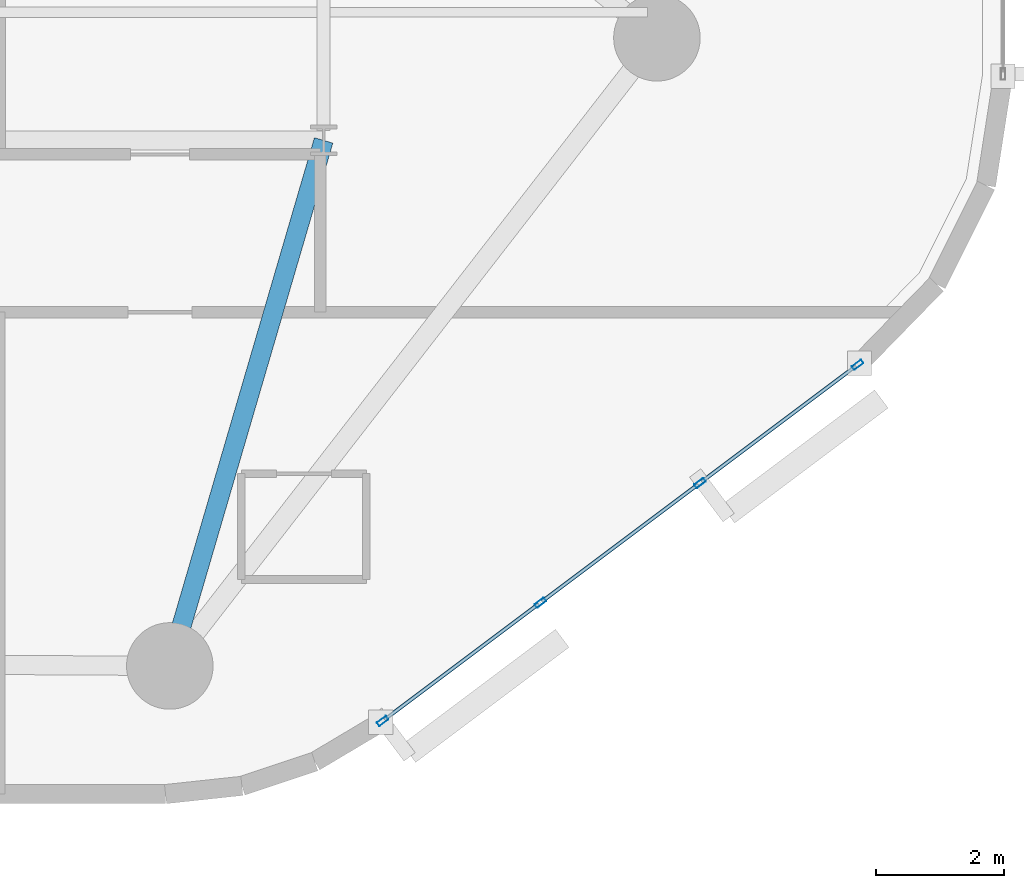
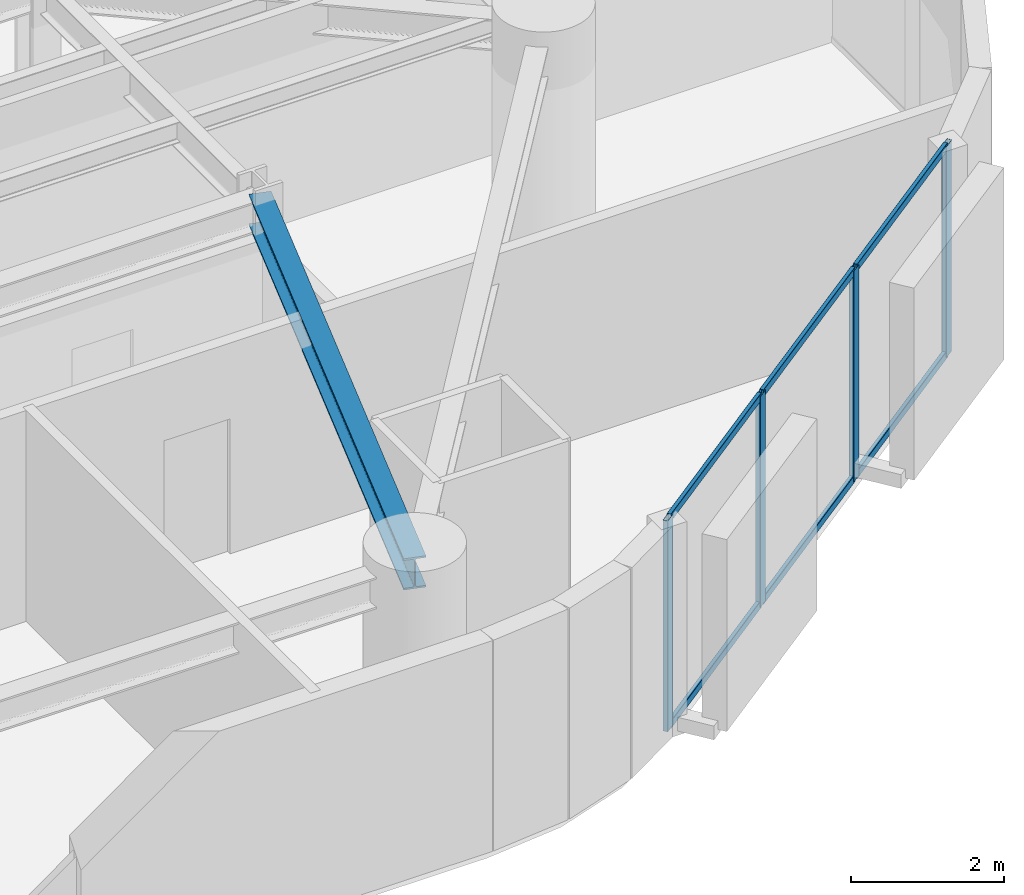
# One storey, part 2 of 15: 10 members, 1 beam, 1 element without a shape of its own.
"""IFC4 building model written with IfcOpenShell, lengths in metres."""

from ifc_helpers import new_model, si_unit, direction, frame, origin, origin_2d, place, context, subcontext, project, spatial, hollow_rectangle, i_section, extrude, material, layer, layer_set, material_profile, profile_set, type_object, element, aggregate, save


model = new_model("IFC4")

# Units and contexts
model_context = context("Model", 3, precision=1e-05, world=origin(), true_north=direction((0.0, 1.0)))
body_context = subcontext(model_context, "Body", "Model", "MODEL_VIEW")
ifc_project = project(units=[si_unit("LENGTHUNIT", "METRE"), si_unit("AREAUNIT", "SQUARE_METRE"), si_unit("VOLUMEUNIT", "CUBIC_METRE"), si_unit("PLANEANGLEUNIT", "RADIAN"), si_unit("MASSUNIT", "GRAM", prefix="KILO")], contexts=[model_context])

# Site, building, storey
site_placement = place(None, origin())
site = spatial("IfcSite", under=ifc_project, at=site_placement, CompositionType="ELEMENT")
building_placement = place(site_placement, origin())
building = spatial("IfcBuilding", under=site, at=building_placement, Name="An Khanh Terracotta Commons", CompositionType="ELEMENT")
storey_placement = place(building_placement, frame((0.0, 0.0, 129.5)))
storey = spatial("IfcBuildingStorey", under=building, at=storey_placement, Name="L34", CompositionType="ELEMENT", Elevation=129.5)

# Beam
ifc_material_1 = material(Name="Steel S355J2", Category="steel")
ifc_material_profile_1 = material_profile(ifc_material_1, i_section(OverallWidth=0.300048828125, OverallDepth=0.5, WebThickness=0.014404296875, FlangeThickness=0.028076171875, FilletRadius=0.027099609375, at=origin_2d()), Name="HEB500")
ifc_profile_set_1 = profile_set([ifc_material_profile_1], Name="Steel S355J2")
beam_type = type_object("IfcBeamType", Name="BM-HEB500", PredefinedType="BEAM", material=ifc_profile_set_1)
beam_placement = place(storey_placement, frame((44.39990234375, 6.199951171875, 3.110107421875), z_axis=(0.280916085823, 0.959732333896, 0.0), x_axis=(-0.959732333896, 0.280916085823, 0.0)))
element("IfcBeam", 1, at=beam_placement, inside=storey, type_object=beam_type, Name="L34 Mega-Column Tie Girder 2", PredefinedType="BEAM", context=body_context, shape_type="SweptSolid", body=[
    extrude(i_section(OverallWidth=0.300048828125, OverallDepth=0.5, WebThickness=0.014404296875, FlangeThickness=0.028076171875, FilletRadius=0.027099609375, at=origin_2d()), origin(), (0.0, 0.0, 1.0), 8.5439453125),
])

# Curtain wall, members
ifc_material_2 = material(Name="Anodised Aluminium 6063-T6", Category="aluminium")
ifc_layer = layer(ifc_material_2, 0.199951171875, Name="Anodised Aluminium 6063-T6")
ifc_layer_set = layer_set([ifc_layer], Name="Anodised Aluminium 6063-T6")
curtain_wall_type = type_object("IfcCurtainWallType", Name="CW-SYS-02", PredefinedType="USERDEFINED", material=ifc_layer_set)
curtain_wall_placement = place(storey_placement, origin())
curtain_wall = element("IfcCurtainWall", 2, at=curtain_wall_placement, inside=storey, type_object=curtain_wall_type, Name="L34 CW-02 Unitised Curtain Wall CW-L34-08", ObjectType="UNITISED CURTAIN WALL", PredefinedType="USERDEFINED")
ifc_material_profile_2 = material_profile(ifc_material_2, hollow_rectangle(XDim=0.070068359375, YDim=0.179931640625, WallThickness=0.00390625, InnerFilletRadius=0.00390625, OuterFilletRadius=0.008056640625, at=origin_2d()), Name="RHS180x70x4")
ifc_profile_set_2 = profile_set([ifc_material_profile_2], Name="Anodised Aluminium 6063-T6")
member_type_1 = type_object("IfcMemberType", Name="CWM-RHS180x70x4", PredefinedType="MULLION", material=ifc_profile_set_2)
member_1_placement = place(storey_placement, frame((47.720947265625, 5.341064453125, 0.0), z_axis=(0.0, 0.0, 1.0), x_axis=(-0.599982857492, 0.800012856594, 0.0)))
member_1 = element("IfcMember", 3, at=member_1_placement, type_object=member_type_1, Name="CW-02 mullion 1", PredefinedType="MULLION", context=body_context, shape_type="SweptSolid", body=[
    extrude(hollow_rectangle(XDim=0.070068359375, YDim=0.179931640625, WallThickness=0.00390625, InnerFilletRadius=0.00390625, OuterFilletRadius=0.008056640625, at=origin_2d()), origin(), (0.0, 0.0, 1.0), 3.360107421875),
])
member_2_placement = place(storey_placement, frame((50.181884765625, 7.186767578125, 0.0), z_axis=(0.0, 0.0, 1.0), x_axis=(-0.599982857492, 0.800012856594, 0.0)))
member_2 = element("IfcMember", 4, at=member_2_placement, type_object=member_type_1, Name="CW-02 mullion 2", PredefinedType="MULLION", context=body_context, shape_type="SweptSolid", body=[
    extrude(hollow_rectangle(XDim=0.070068359375, YDim=0.179931640625, WallThickness=0.00390625, InnerFilletRadius=0.00390625, OuterFilletRadius=0.008056640625, at=origin_2d()), origin(), (0.0, 0.0, 1.0), 3.360107421875),
])
member_3_placement = place(storey_placement, frame((52.6708984375, 9.05322265625, 0.0), z_axis=(0.0, 0.0, 1.0), x_axis=(-0.599982857492, 0.800012856594, 0.0)))
member_3 = element("IfcMember", 5, at=member_3_placement, type_object=member_type_1, Name="CW-02 mullion 3", PredefinedType="MULLION", context=body_context, shape_type="SweptSolid", body=[
    extrude(hollow_rectangle(XDim=0.070068359375, YDim=0.179931640625, WallThickness=0.00390625, InnerFilletRadius=0.00390625, OuterFilletRadius=0.008056640625, at=origin_2d()), origin(), (0.0, 0.0, 1.0), 3.360107421875),
])
member_4_placement = place(storey_placement, frame((55.132080078125, 10.89892578125, 0.0), z_axis=(0.0, 0.0, 1.0), x_axis=(-0.599982857492, 0.800012856594, 0.0)))
member_4 = element("IfcMember", 6, at=member_4_placement, type_object=member_type_1, Name="CW-02 mullion 4", PredefinedType="MULLION", context=body_context, shape_type="SweptSolid", body=[
    extrude(hollow_rectangle(XDim=0.070068359375, YDim=0.179931640625, WallThickness=0.00390625, InnerFilletRadius=0.00390625, OuterFilletRadius=0.008056640625, at=origin_2d()), origin(), (0.0, 0.0, 1.0), 3.360107421875),
])
ifc_material_profile_3 = material_profile(ifc_material_2, hollow_rectangle(XDim=0.06005859375, YDim=0.1201171875, WallThickness=0.003662109375, InnerFilletRadius=0.003662109375, OuterFilletRadius=0.007080078125, at=origin_2d()), Name="RHS120x60x3.6")
ifc_profile_set_3 = profile_set([ifc_material_profile_3], Name="Anodised Aluminium 6063-T6")
member_type_2 = type_object("IfcMemberType", Name="CWT-RHS120x60x3.6", PredefinedType="USERDEFINED", material=ifc_profile_set_3)
member_5_placement = place(storey_placement, frame((47.7490234375, 5.362060546875, 0.030029296875), z_axis=(0.800009745217, 0.599987006158, 0.0), x_axis=(-0.599987006158, 0.800009745217, 0.0)))
member_5 = element("IfcMember", 7, at=member_5_placement, type_object=member_type_2, Name="CW-02 transom 1.1", ObjectType="TRANSOM", PredefinedType="USERDEFINED", context=body_context, shape_type="SweptSolid", body=[
    extrude(hollow_rectangle(XDim=0.06005859375, YDim=0.1201171875, WallThickness=0.003662109375, InnerFilletRadius=0.003662109375, OuterFilletRadius=0.007080078125, at=origin_2d()), origin(), (0.0, 0.0, 1.0), 3.00634765625),
])
member_6_placement = place(storey_placement, frame((47.7490234375, 5.362060546875, 3.330078125), z_axis=(0.800009745217, 0.599987006158, 0.0), x_axis=(-0.599987006158, 0.800009745217, 0.0)))
member_6 = element("IfcMember", 8, at=member_6_placement, type_object=member_type_2, Name="CW-02 transom 1.2", ObjectType="TRANSOM", PredefinedType="USERDEFINED", context=body_context, shape_type="SweptSolid", body=[
    extrude(hollow_rectangle(XDim=0.06005859375, YDim=0.1201171875, WallThickness=0.003662109375, InnerFilletRadius=0.003662109375, OuterFilletRadius=0.007080078125, at=origin_2d()), origin(), (0.0, 0.0, 1.0), 3.00634765625),
])
member_7_placement = place(storey_placement, frame((50.2099609375, 7.207763671875, 0.030029296875), z_axis=(0.800057796972, 0.599922929638, 0.0), x_axis=(-0.599922929638, 0.800057796972, 0.0)))
member_7 = element("IfcMember", 9, at=member_7_placement, type_object=member_type_2, Name="CW-02 transom 2.1", ObjectType="TRANSOM", PredefinedType="USERDEFINED", context=body_context, shape_type="SweptSolid", body=[
    extrude(hollow_rectangle(XDim=0.06005859375, YDim=0.1201171875, WallThickness=0.003662109375, InnerFilletRadius=0.003662109375, OuterFilletRadius=0.007080078125, at=origin_2d()), origin(), (0.0, 0.0, 1.0), 3.041259765625),
])
member_8_placement = place(storey_placement, frame((50.2099609375, 7.207763671875, 3.330078125), z_axis=(0.800057796972, 0.599922929638, 0.0), x_axis=(-0.599922929638, 0.800057796972, 0.0)))
member_8 = element("IfcMember", 10, at=member_8_placement, type_object=member_type_2, Name="CW-02 transom 2.2", ObjectType="TRANSOM", PredefinedType="USERDEFINED", context=body_context, shape_type="SweptSolid", body=[
    extrude(hollow_rectangle(XDim=0.06005859375, YDim=0.1201171875, WallThickness=0.003662109375, InnerFilletRadius=0.003662109375, OuterFilletRadius=0.007080078125, at=origin_2d()), origin(), (0.0, 0.0, 1.0), 3.041259765625),
])
member_9_placement = place(storey_placement, frame((52.698974609375, 9.07421875, 0.030029296875), z_axis=(0.800009745217, 0.599987006158, 0.0), x_axis=(-0.599987006158, 0.800009745217, 0.0)))
member_9 = element("IfcMember", 11, at=member_9_placement, type_object=member_type_2, Name="CW-02 transom 3.1", ObjectType="TRANSOM", PredefinedType="USERDEFINED", context=body_context, shape_type="SweptSolid", body=[
    extrude(hollow_rectangle(XDim=0.06005859375, YDim=0.1201171875, WallThickness=0.003662109375, InnerFilletRadius=0.003662109375, OuterFilletRadius=0.007080078125, at=origin_2d()), origin(), (0.0, 0.0, 1.0), 3.00634765625),
])
member_10_placement = place(storey_placement, frame((52.698974609375, 9.07421875, 3.330078125), z_axis=(0.800009745217, 0.599987006158, 0.0), x_axis=(-0.599987006158, 0.800009745217, 0.0)))
member_10 = element("IfcMember", 12, at=member_10_placement, type_object=member_type_2, Name="CW-02 transom 3.2", ObjectType="TRANSOM", PredefinedType="USERDEFINED", context=body_context, shape_type="SweptSolid", body=[
    extrude(hollow_rectangle(XDim=0.06005859375, YDim=0.1201171875, WallThickness=0.003662109375, InnerFilletRadius=0.003662109375, OuterFilletRadius=0.007080078125, at=origin_2d()), origin(), (0.0, 0.0, 1.0), 3.00634765625),
])
aggregate(curtain_wall, [member_1, member_2, member_3, member_4, member_5, member_6, member_7, member_8, member_9, member_10])

save(model, "model.ifc")
